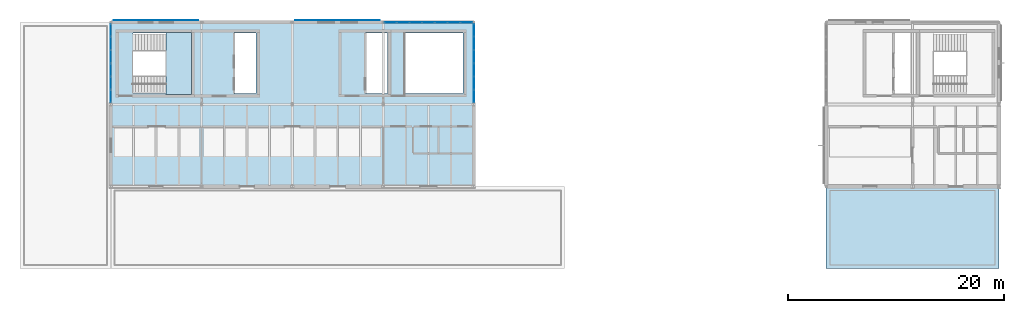
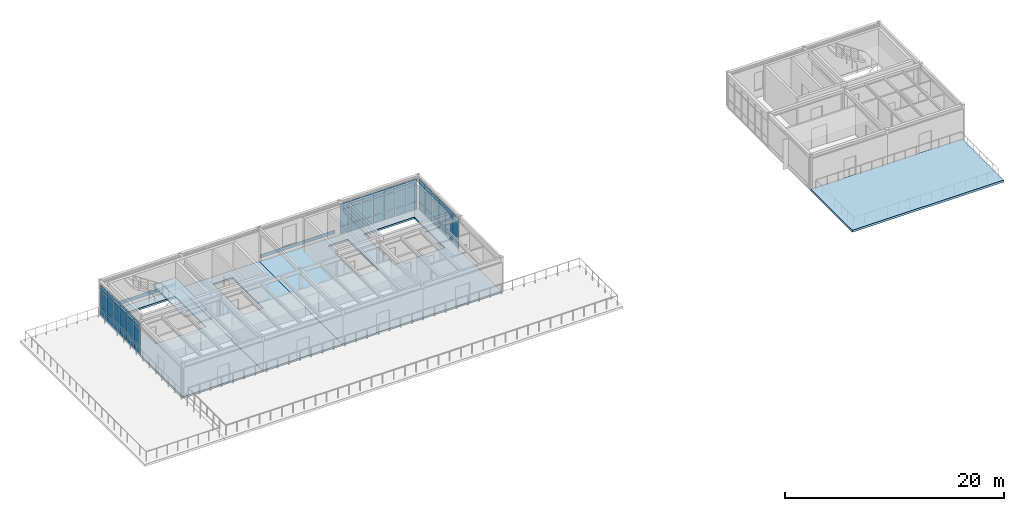
# One storey, part 17 of 26: 59 plates, 5 slabs, 4 elements without a shape of their own.
"""IFC4 building model written with IfcOpenShell, lengths in metres."""

import ifcopenshell
import ifcopenshell.guid

model = None  # the IFC model being written
_history = None  # IfcOwnerHistory: only IFC2X3 demands one
_inside = {}  # id of a spatial element -> (the spatial element, [elements in it])
_under = {}  # id of a project, library or spatial element -> (it, [spatial elements below it])
_declared = {}  # id of a project -> (the project, [libraries it declares])
_typed = {}  # id of a type object -> (the type object, [elements of that type])
_made_of = {}  # id of a material, layer set ... -> (it, [elements and type objects made of it])


def new_model(schema):
    """Start an empty IFC model of exactly this schema.

    Asked for "IFC4X3", IfcOpenShell would pick the latest addendum, in which some entities
    have other attributes; the version numbers below select the first issue.
    IFC2X3 requires an IfcOwnerHistory on every rooted entity: one is made here for all.
    """
    global model, _history
    if schema == "IFC4X3":
        model = ifcopenshell.file(schema_version=(4, 3, 0, 0))
    else:
        model = ifcopenshell.file(schema=schema)
    _inside.clear()
    _under.clear()
    _declared.clear()
    _typed.clear()
    _made_of.clear()
    _history = None
    if model.schema == "IFC2X3":
        org = make("IfcOrganization", Name="unknown")
        user = make(
            "IfcPersonAndOrganization",
            ThePerson=make("IfcPerson", FamilyName="unknown"),
            TheOrganization=org,
        )
        app = make(
            "IfcApplication",
            ApplicationDeveloper=org,
            Version="unknown",
            ApplicationFullName="unknown",
            ApplicationIdentifier="unknown",
        )
        _history = make(
            "IfcOwnerHistory",
            OwningUser=user,
            OwningApplication=app,
            ChangeAction="ADDED",
            CreationDate=0,
        )
    return model


def make(cls, **values):
    """One entity of the class cls with the attributes given. An attribute that is None is left unset."""
    return model.create_entity(
        cls, **{name: value for name, value in values.items() if value is not None}
    )


def rooted(cls, **values):
    """An entity with a GlobalId (a new one), such as an element, a storey or a relation."""
    return make(cls, GlobalId=ifcopenshell.guid.new(), OwnerHistory=_history, **values)


def si_unit(unit_type, name, prefix=None):
    """IfcSIUnit, for example si_unit("LENGTHUNIT", "METRE", prefix="MILLI")."""
    return make("IfcSIUnit", UnitType=unit_type, Prefix=prefix, Name=name)


def assignment(units):
    """IfcUnitAssignment: the units of a project."""
    return None if units is None else make("IfcUnitAssignment", Units=units)


def point(xyz):
    """IfcCartesianPoint."""
    return None if xyz is None else make("IfcCartesianPoint", Coordinates=xyz)


def direction(xyz):
    """IfcDirection."""
    return None if xyz is None else make("IfcDirection", DirectionRatios=xyz)


def frame(location, z_axis=None, x_axis=None):
    """IfcAxis2Placement3D, a coordinate frame: its origin and axes. An axis left out is left unset."""
    return make(
        "IfcAxis2Placement3D",
        Location=point(location),
        Axis=direction(z_axis),
        RefDirection=direction(x_axis),
    )


def frame_2d(location, x_axis=None):
    """IfcAxis2Placement2D, a coordinate frame in the plane: its origin and x axis."""
    return make(
        "IfcAxis2Placement2D", Location=point(location), RefDirection=direction(x_axis)
    )


def origin():
    """The frame at (0, 0, 0) with its axes left unset."""
    return frame((0.0, 0.0, 0.0))


def origin_2d():
    """The frame at (0, 0) in the plane with its x axis left unset."""
    return frame_2d((0.0, 0.0))


def place(relative_to, where):
    """IfcLocalPlacement: puts the frame where relative to a parent placement (None: the world)."""
    return make(
        "IfcLocalPlacement", PlacementRelTo=relative_to, RelativePlacement=where
    )


def context(
    kind, dimensions, precision=None, world=None, true_north=None, identifier=None
):
    """IfcGeometricRepresentationContext, for example the 3D "Model" context."""
    return make(
        "IfcGeometricRepresentationContext",
        ContextIdentifier=identifier,
        ContextType=kind,
        CoordinateSpaceDimension=dimensions,
        Precision=precision,
        WorldCoordinateSystem=world,
        TrueNorth=true_north,
    )


def subcontext(parent, identifier, kind, view, scale=None):
    """IfcGeometricRepresentationSubContext, for example "Body" below "Model"."""
    return make(
        "IfcGeometricRepresentationSubContext",
        ContextIdentifier=identifier,
        ContextType=kind,
        ParentContext=parent,
        TargetScale=scale,
        TargetView=view,
    )


def project(units=None, contexts=None):
    """IfcProject with its units and contexts."""
    return rooted(
        "IfcProject",
        Name="project",
        RepresentationContexts=contexts,
        UnitsInContext=assignment(units),
    )


def spatial(cls, under=None, at=None, **own):
    """A site, building, storey or space (cls), placed at a placement, below another one or the project."""
    s = rooted(cls, ObjectPlacement=at, **own)
    if under is not None:
        _under.setdefault(under.id(), (under, []))[1].append(s)
    return s


def polyline(points):
    """IfcPolyline through the points."""
    return make("IfcPolyline", Points=[point(p) for p in points])


def profile(cls, at=None, kind="AREA", **sizes):
    """A parametric profile (cls). Its sizes go by their IFC names, for example OverallWidth=200.0."""
    return make(cls, ProfileType=kind, Position=at, **sizes)


def rectangle(**sizes):
    """IfcRectangleProfileDef."""
    return profile("IfcRectangleProfileDef", **sizes)


def outline(outer, holes=None, kind="AREA"):
    """IfcArbitraryClosedProfileDef: a profile drawn as a closed curve; with holes, ...WithVoids."""
    if holes is None:
        return make("IfcArbitraryClosedProfileDef", ProfileType=kind, OuterCurve=outer)
    return make(
        "IfcArbitraryProfileDefWithVoids",
        ProfileType=kind,
        OuterCurve=outer,
        InnerCurves=holes,
    )


def extrude(swept, where, along, depth):
    """IfcExtrudedAreaSolid: the profile swept, set in the frame where, extruded along a direction by depth."""
    return make(
        "IfcExtrudedAreaSolid",
        SweptArea=swept,
        Position=where,
        ExtrudedDirection=direction(along),
        Depth=depth,
    )


def shape(context_of_items, identifier, shape_type, items):
    """IfcShapeRepresentation: the items that make up one representation, for example the "Body"."""
    return make(
        "IfcShapeRepresentation",
        ContextOfItems=context_of_items,
        RepresentationIdentifier=identifier,
        RepresentationType=shape_type,
        Items=items,
    )


def material(Name=None, Category=None):
    """IfcMaterial."""
    return make("IfcMaterial", Name=Name, Category=Category)


def layer(
    of_material, thickness, ventilated=None, Name=None, Category=None, Priority=None
):
    """IfcMaterialLayer: one layer of a wall or slab, of a material (None: an air gap)."""
    return make(
        "IfcMaterialLayer",
        Material=of_material,
        LayerThickness=thickness,
        IsVentilated=ventilated,
        Name=Name,
        Category=Category,
        Priority=Priority,
    )


def layer_set(layers, Name=None):
    """IfcMaterialLayerSet."""
    return make("IfcMaterialLayerSet", MaterialLayers=layers, LayerSetName=Name)


def made_of(thing, what):
    """Note that an element or type object is made of a material, layer set ...; save() writes the relation."""
    if what is not None:
        _made_of.setdefault(what.id(), (what, []))[1].append(thing)
    return thing


def type_object(cls, material=None, **own):
    """A type object (cls), such as IfcWallType, which elements share."""
    return made_of(rooted(cls, **own), material)


def element(
    cls,
    number,
    at=None,
    inside=None,
    cuts=None,
    type_object=None,
    material=None,
    context=None,
    identifier="Body",
    shape_type=None,
    held_by="IfcProductDefinitionShape",
    body=None,
    shapes=None,
    **own,
):
    """One element of the class cls, such as IfcWall. Its Tag is "e" and its number.

    at: its placement. inside: the storey or other place that contains it. cuts: it is an
    opening in that element (IfcRelVoidsElement). A single representation is given by context,
    identifier, shape_type and body (its items); several are given by shapes. held_by: the class
    of the entity that holds the representations. save() writes the other relations.
    """
    e = rooted(cls, Tag="e%d" % number, ObjectPlacement=at, **own)
    if body is not None:
        shapes = [shape(context, identifier, shape_type, body)]
    if shapes is not None:
        e.Representation = make(held_by, Representations=shapes)
    if inside is not None:
        _inside.setdefault(inside.id(), (inside, []))[1].append(e)
    if cuts is not None:
        rooted(
            "IfcRelVoidsElement", RelatingBuildingElement=cuts, RelatedOpeningElement=e
        )
    if type_object is not None:
        _typed.setdefault(type_object.id(), (type_object, []))[1].append(e)
    return made_of(e, material)


def aggregate(whole, parts):
    """IfcRelAggregates: a whole, such as a stair, and the parts it consists of."""
    return rooted("IfcRelAggregates", RelatingObject=whole, RelatedObjects=parts)


def save(model, path):
    """Write the relations noted so far, then the file.

    IfcRelAggregates (storeys below a building ...), IfcRelContainedInSpatialStructure (elements
    in a storey), IfcRelDefinesByType, IfcRelAssociatesMaterial and IfcRelDeclares: one each for
    every whole, place, type object, material and project.
    """
    for whole, parts in _under.values():
        aggregate(whole, parts)
    for where, things in _inside.values():
        rooted(
            "IfcRelContainedInSpatialStructure",
            RelatedElements=things,
            RelatingStructure=where,
        )
    for kind, things in _typed.values():
        rooted("IfcRelDefinesByType", RelatedObjects=things, RelatingType=kind)
    for what, things in _made_of.values():
        rooted("IfcRelAssociatesMaterial", RelatedObjects=things, RelatingMaterial=what)
    for by, libraries in _declared.values():
        rooted("IfcRelDeclares", RelatingContext=by, RelatedDefinitions=libraries)
    model.write(path)


model = new_model("IFC4")

# Units and contexts
model_context = context("Model", 3, precision=1e-05, world=origin(), true_north=direction((0.0, 1.0)))
body_context = subcontext(model_context, "Body", "Model", "MODEL_VIEW")
ifc_project = project(units=[si_unit("LENGTHUNIT", "METRE"), si_unit("AREAUNIT", "SQUARE_METRE"), si_unit("VOLUMEUNIT", "CUBIC_METRE"), si_unit("PLANEANGLEUNIT", "RADIAN"), si_unit("MASSUNIT", "GRAM", prefix="KILO")], contexts=[model_context])

# Site, building, storey
site_placement = place(None, origin())
site = spatial("IfcSite", under=ifc_project, at=site_placement, CompositionType="ELEMENT")
building_placement = place(site_placement, origin())
building = spatial("IfcBuilding", under=site, at=building_placement, Name="Montecoro Central Library", CompositionType="ELEMENT")
storey_placement = place(building_placement, frame((0.0, 0.0, 21.419921875)))
storey = spatial("IfcBuildingStorey", under=building, at=storey_placement, Name="L05", CompositionType="ELEMENT", Elevation=21.419921875)

# Curtain wall, plates
ifc_material_1 = material(Name="Bronze-anodised aluminium and low-E glazing", Category="aluminium")
ifc_layer_1 = layer(ifc_material_1, 0.159912109375)
ifc_layer_set_1 = layer_set([ifc_layer_1], Name="Bronze-anodised aluminium and low-E glazing")
curtain_wall_type_1 = type_object("IfcCurtainWallType", Name="CWT-024", PredefinedType="NOTDEFINED", material=ifc_layer_set_1)
curtain_wall_1_placement = place(storey_placement, origin())
curtain_wall_1 = element("IfcCurtainWall", 1, at=curtain_wall_1_placement, inside=storey, type_object=curtain_wall_type_1, Name="V2-L05-CW-E1", PredefinedType="NOTDEFINED")
ifc_material_2 = material(Name="Laminated low-E double glazing", Category="glass")
ifc_layer_2 = layer(ifc_material_2, 0.033935546875)
ifc_layer_set_2 = layer_set([ifc_layer_2], Name="Laminated low-E double glazing")
plate_type_1 = type_object("IfcPlateType", Name="CWP-GLZ-03", PredefinedType="CURTAIN_PANEL", material=ifc_layer_set_2)
plate_1_placement = place(storey_placement, frame((108.39990234375, 112.1669921875, 0.06005859375), z_axis=(0.0, 0.0, 1.0), x_axis=(0.0, 1.0, 0.0)))
plate_1 = element("IfcPlate", 2, at=plate_1_placement, type_object=plate_type_1, Name="CW-024 panel 1.1", PredefinedType="CURTAIN_PANEL", context=body_context, shape_type="SweptSolid", body=[
    extrude(rectangle(XDim=1.13818359375, YDim=0.033935546875, at=origin_2d()), origin(), (0.0, 0.0, 1.0), 0.81005859375),
])
plate_2_placement = place(storey_placement, frame((108.39990234375, 112.1669921875, 0.93017578125), z_axis=(0.0, 0.0, 1.0), x_axis=(0.0, 1.0, 0.0)))
plate_2 = element("IfcPlate", 3, at=plate_2_placement, type_object=plate_type_1, Name="CW-024 panel 1.2", PredefinedType="CURTAIN_PANEL", context=body_context, shape_type="SweptSolid", body=[
    extrude(rectangle(XDim=1.13818359375, YDim=0.033935546875, at=origin_2d()), origin(), (0.0, 0.0, 1.0), 1.820068359375),
])
plate_3_placement = place(storey_placement, frame((108.39990234375, 112.1669921875, 2.81005859375), z_axis=(0.0, 0.0, 1.0), x_axis=(0.0, 1.0, 0.0)))
plate_3 = element("IfcPlate", 4, at=plate_3_placement, type_object=plate_type_1, Name="CW-024 panel 1.3", PredefinedType="CURTAIN_PANEL", context=body_context, shape_type="SweptSolid", body=[
    extrude(rectangle(XDim=1.13818359375, YDim=0.033935546875, at=origin_2d()), origin(), (0.0, 0.0, 1.0), 0.610107421875),
])
plate_4_placement = place(storey_placement, frame((108.39990234375, 113.38037109375, 0.06005859375), z_axis=(0.0, 0.0, 1.0), x_axis=(0.0, 1.0, 0.0)))
plate_4 = element("IfcPlate", 5, at=plate_4_placement, type_object=plate_type_1, Name="CW-024 panel 2.1", PredefinedType="CURTAIN_PANEL", context=body_context, shape_type="SweptSolid", body=[
    extrude(rectangle(XDim=1.168212890625, YDim=0.033935546875, at=origin_2d()), origin(), (0.0, 0.0, 1.0), 0.81005859375),
])
plate_5_placement = place(storey_placement, frame((108.39990234375, 113.38037109375, 0.93017578125), z_axis=(0.0, 0.0, 1.0), x_axis=(0.0, 1.0, 0.0)))
plate_5 = element("IfcPlate", 6, at=plate_5_placement, type_object=plate_type_1, Name="CW-024 panel 2.2", PredefinedType="CURTAIN_PANEL", context=body_context, shape_type="SweptSolid", body=[
    extrude(rectangle(XDim=1.168212890625, YDim=0.033935546875, at=origin_2d()), origin(), (0.0, 0.0, 1.0), 1.820068359375),
])
plate_6_placement = place(storey_placement, frame((108.39990234375, 113.38037109375, 2.81005859375), z_axis=(0.0, 0.0, 1.0), x_axis=(0.0, 1.0, 0.0)))
plate_6 = element("IfcPlate", 7, at=plate_6_placement, type_object=plate_type_1, Name="CW-024 panel 2.3", PredefinedType="CURTAIN_PANEL", context=body_context, shape_type="SweptSolid", body=[
    extrude(rectangle(XDim=1.168212890625, YDim=0.033935546875, at=origin_2d()), origin(), (0.0, 0.0, 1.0), 0.610107421875),
])
plate_7_placement = place(storey_placement, frame((108.39990234375, 114.6083984375, 0.06005859375), z_axis=(0.0, 0.0, 1.0), x_axis=(0.0, 1.0, 0.0)))
plate_7 = element("IfcPlate", 8, at=plate_7_placement, type_object=plate_type_1, Name="CW-024 panel 3.1", PredefinedType="CURTAIN_PANEL", context=body_context, shape_type="SweptSolid", body=[
    extrude(rectangle(XDim=1.168212890625, YDim=0.033935546875, at=origin_2d()), origin(), (0.0, 0.0, 1.0), 0.81005859375),
])
plate_8_placement = place(storey_placement, frame((108.39990234375, 114.6083984375, 0.93017578125), z_axis=(0.0, 0.0, 1.0), x_axis=(0.0, 1.0, 0.0)))
plate_8 = element("IfcPlate", 9, at=plate_8_placement, type_object=plate_type_1, Name="CW-024 panel 3.2", PredefinedType="CURTAIN_PANEL", context=body_context, shape_type="SweptSolid", body=[
    extrude(rectangle(XDim=1.168212890625, YDim=0.033935546875, at=origin_2d()), origin(), (0.0, 0.0, 1.0), 1.820068359375),
])
plate_9_placement = place(storey_placement, frame((108.39990234375, 114.6083984375, 2.81005859375), z_axis=(0.0, 0.0, 1.0), x_axis=(0.0, 1.0, 0.0)))
plate_9 = element("IfcPlate", 10, at=plate_9_placement, type_object=plate_type_1, Name="CW-024 panel 3.3", PredefinedType="CURTAIN_PANEL", context=body_context, shape_type="SweptSolid", body=[
    extrude(rectangle(XDim=1.168212890625, YDim=0.033935546875, at=origin_2d()), origin(), (0.0, 0.0, 1.0), 0.610107421875),
])
plate_10_placement = place(storey_placement, frame((108.39990234375, 115.836669921875, 0.06005859375), z_axis=(0.0, 0.0, 1.0), x_axis=(0.0, 1.0, 0.0)))
plate_10 = element("IfcPlate", 11, at=plate_10_placement, type_object=plate_type_1, Name="CW-024 panel 4.1", PredefinedType="CURTAIN_PANEL", context=body_context, shape_type="SweptSolid", body=[
    extrude(rectangle(XDim=1.168212890625, YDim=0.033935546875, at=origin_2d()), origin(), (0.0, 0.0, 1.0), 0.81005859375),
])
plate_11_placement = place(storey_placement, frame((108.39990234375, 115.836669921875, 0.93017578125), z_axis=(0.0, 0.0, 1.0), x_axis=(0.0, 1.0, 0.0)))
plate_11 = element("IfcPlate", 12, at=plate_11_placement, type_object=plate_type_1, Name="CW-024 panel 4.2", PredefinedType="CURTAIN_PANEL", context=body_context, shape_type="SweptSolid", body=[
    extrude(rectangle(XDim=1.168212890625, YDim=0.033935546875, at=origin_2d()), origin(), (0.0, 0.0, 1.0), 1.820068359375),
])
plate_12_placement = place(storey_placement, frame((108.39990234375, 115.836669921875, 2.81005859375), z_axis=(0.0, 0.0, 1.0), x_axis=(0.0, 1.0, 0.0)))
plate_12 = element("IfcPlate", 13, at=plate_12_placement, type_object=plate_type_1, Name="CW-024 panel 4.3", PredefinedType="CURTAIN_PANEL", context=body_context, shape_type="SweptSolid", body=[
    extrude(rectangle(XDim=1.168212890625, YDim=0.033935546875, at=origin_2d()), origin(), (0.0, 0.0, 1.0), 0.610107421875),
])
plate_13_placement = place(storey_placement, frame((108.39990234375, 117.064697265625, 0.06005859375), z_axis=(0.0, 0.0, 1.0), x_axis=(0.0, 1.0, 0.0)))
plate_13 = element("IfcPlate", 14, at=plate_13_placement, type_object=plate_type_1, Name="CW-024 panel 5.1", PredefinedType="CURTAIN_PANEL", context=body_context, shape_type="SweptSolid", body=[
    extrude(rectangle(XDim=1.168212890625, YDim=0.033935546875, at=origin_2d()), origin(), (0.0, 0.0, 1.0), 0.81005859375),
])
plate_14_placement = place(storey_placement, frame((108.39990234375, 117.064697265625, 0.93017578125), z_axis=(0.0, 0.0, 1.0), x_axis=(0.0, 1.0, 0.0)))
plate_14 = element("IfcPlate", 15, at=plate_14_placement, type_object=plate_type_1, Name="CW-024 panel 5.2", PredefinedType="CURTAIN_PANEL", context=body_context, shape_type="SweptSolid", body=[
    extrude(rectangle(XDim=1.168212890625, YDim=0.033935546875, at=origin_2d()), origin(), (0.0, 0.0, 1.0), 1.820068359375),
])
plate_15_placement = place(storey_placement, frame((108.39990234375, 117.064697265625, 2.81005859375), z_axis=(0.0, 0.0, 1.0), x_axis=(0.0, 1.0, 0.0)))
plate_15 = element("IfcPlate", 16, at=plate_15_placement, type_object=plate_type_1, Name="CW-024 panel 5.3", PredefinedType="CURTAIN_PANEL", context=body_context, shape_type="SweptSolid", body=[
    extrude(rectangle(XDim=1.168212890625, YDim=0.033935546875, at=origin_2d()), origin(), (0.0, 0.0, 1.0), 0.610107421875),
])
plate_16_placement = place(storey_placement, frame((108.39990234375, 118.27783203125, 0.06005859375), z_axis=(0.0, 0.0, 1.0), x_axis=(0.0, 1.0, 0.0)))
plate_16 = element("IfcPlate", 17, at=plate_16_placement, type_object=plate_type_1, Name="CW-024 panel 6.1", PredefinedType="CURTAIN_PANEL", context=body_context, shape_type="SweptSolid", body=[
    extrude(rectangle(XDim=1.13818359375, YDim=0.033935546875, at=origin_2d()), origin(), (0.0, 0.0, 1.0), 0.81005859375),
])
plate_17_placement = place(storey_placement, frame((108.39990234375, 118.27783203125, 0.93017578125), z_axis=(0.0, 0.0, 1.0), x_axis=(0.0, 1.0, 0.0)))
plate_17 = element("IfcPlate", 18, at=plate_17_placement, type_object=plate_type_1, Name="CW-024 panel 6.2", PredefinedType="CURTAIN_PANEL", context=body_context, shape_type="SweptSolid", body=[
    extrude(rectangle(XDim=1.13818359375, YDim=0.033935546875, at=origin_2d()), origin(), (0.0, 0.0, 1.0), 1.820068359375),
])
plate_18_placement = place(storey_placement, frame((108.39990234375, 118.27783203125, 2.81005859375), z_axis=(0.0, 0.0, 1.0), x_axis=(0.0, 1.0, 0.0)))
plate_18 = element("IfcPlate", 19, at=plate_18_placement, type_object=plate_type_1, Name="CW-024 panel 6.3", PredefinedType="CURTAIN_PANEL", context=body_context, shape_type="SweptSolid", body=[
    extrude(rectangle(XDim=1.13818359375, YDim=0.033935546875, at=origin_2d()), origin(), (0.0, 0.0, 1.0), 0.610107421875),
])
aggregate(curtain_wall_1, [plate_1, plate_2, plate_3, plate_4, plate_5, plate_6, plate_7, plate_8, plate_9, plate_10, plate_11, plate_12, plate_13, plate_14, plate_15, plate_16, plate_17, plate_18])

ifc_layer_3 = layer(ifc_material_1, 0.159912109375)
ifc_layer_set_3 = layer_set([ifc_layer_3], Name="Bronze-anodised aluminium and low-E glazing")
curtain_wall_type_2 = type_object("IfcCurtainWallType", Name="CWT-026", PredefinedType="NOTDEFINED", material=ifc_layer_set_3)
curtain_wall_2_placement = place(storey_placement, origin())
curtain_wall_2 = element("IfcCurtainWall", 20, at=curtain_wall_2_placement, inside=storey, type_object=curtain_wall_type_2, Name="V2-L05-CW-W1", PredefinedType="NOTDEFINED")
plate_19_placement = place(storey_placement, frame((74.800048828125, 118.27783203125, 0.06005859375), z_axis=(0.0, 0.0, 1.0), x_axis=(0.0, -1.0, 0.0)))
plate_19 = element("IfcPlate", 21, at=plate_19_placement, type_object=plate_type_1, Name="CW-026 panel 1.1", PredefinedType="CURTAIN_PANEL", context=body_context, shape_type="SweptSolid", body=[
    extrude(rectangle(XDim=1.13818359375, YDim=0.033935546875, at=origin_2d()), origin(), (0.0, 0.0, 1.0), 0.81005859375),
])
plate_20_placement = place(storey_placement, frame((74.800048828125, 118.27783203125, 0.93017578125), z_axis=(0.0, 0.0, 1.0), x_axis=(0.0, -1.0, 0.0)))
plate_20 = element("IfcPlate", 22, at=plate_20_placement, type_object=plate_type_1, Name="CW-026 panel 1.2", PredefinedType="CURTAIN_PANEL", context=body_context, shape_type="SweptSolid", body=[
    extrude(rectangle(XDim=1.13818359375, YDim=0.033935546875, at=origin_2d()), origin(), (0.0, 0.0, 1.0), 1.820068359375),
])
plate_21_placement = place(storey_placement, frame((74.800048828125, 118.27783203125, 2.81005859375), z_axis=(0.0, 0.0, 1.0), x_axis=(0.0, -1.0, 0.0)))
plate_21 = element("IfcPlate", 23, at=plate_21_placement, type_object=plate_type_1, Name="CW-026 panel 1.3", PredefinedType="CURTAIN_PANEL", context=body_context, shape_type="SweptSolid", body=[
    extrude(rectangle(XDim=1.13818359375, YDim=0.033935546875, at=origin_2d()), origin(), (0.0, 0.0, 1.0), 0.610107421875),
])
plate_22_placement = place(storey_placement, frame((74.800048828125, 117.064697265625, 0.06005859375), z_axis=(0.0, 0.0, 1.0), x_axis=(0.0, -1.0, 0.0)))
plate_22 = element("IfcPlate", 24, at=plate_22_placement, type_object=plate_type_1, Name="CW-026 panel 2.1", PredefinedType="CURTAIN_PANEL", context=body_context, shape_type="SweptSolid", body=[
    extrude(rectangle(XDim=1.168212890625, YDim=0.033935546875, at=origin_2d()), origin(), (0.0, 0.0, 1.0), 0.81005859375),
])
plate_23_placement = place(storey_placement, frame((74.800048828125, 117.064697265625, 0.93017578125), z_axis=(0.0, 0.0, 1.0), x_axis=(0.0, -1.0, 0.0)))
plate_23 = element("IfcPlate", 25, at=plate_23_placement, type_object=plate_type_1, Name="CW-026 panel 2.2", PredefinedType="CURTAIN_PANEL", context=body_context, shape_type="SweptSolid", body=[
    extrude(rectangle(XDim=1.168212890625, YDim=0.033935546875, at=origin_2d()), origin(), (0.0, 0.0, 1.0), 1.820068359375),
])
plate_24_placement = place(storey_placement, frame((74.800048828125, 117.064697265625, 2.81005859375), z_axis=(0.0, 0.0, 1.0), x_axis=(0.0, -1.0, 0.0)))
plate_24 = element("IfcPlate", 26, at=plate_24_placement, type_object=plate_type_1, Name="CW-026 panel 2.3", PredefinedType="CURTAIN_PANEL", context=body_context, shape_type="SweptSolid", body=[
    extrude(rectangle(XDim=1.168212890625, YDim=0.033935546875, at=origin_2d()), origin(), (0.0, 0.0, 1.0), 0.610107421875),
])
plate_25_placement = place(storey_placement, frame((74.800048828125, 115.836669921875, 0.06005859375), z_axis=(0.0, 0.0, 1.0), x_axis=(0.0, -1.0, 0.0)))
plate_25 = element("IfcPlate", 27, at=plate_25_placement, type_object=plate_type_1, Name="CW-026 panel 3.1", PredefinedType="CURTAIN_PANEL", context=body_context, shape_type="SweptSolid", body=[
    extrude(rectangle(XDim=1.168212890625, YDim=0.033935546875, at=origin_2d()), origin(), (0.0, 0.0, 1.0), 0.81005859375),
])
plate_26_placement = place(storey_placement, frame((74.800048828125, 115.836669921875, 0.93017578125), z_axis=(0.0, 0.0, 1.0), x_axis=(0.0, -1.0, 0.0)))
plate_26 = element("IfcPlate", 28, at=plate_26_placement, type_object=plate_type_1, Name="CW-026 panel 3.2", PredefinedType="CURTAIN_PANEL", context=body_context, shape_type="SweptSolid", body=[
    extrude(rectangle(XDim=1.168212890625, YDim=0.033935546875, at=origin_2d()), origin(), (0.0, 0.0, 1.0), 1.820068359375),
])
plate_27_placement = place(storey_placement, frame((74.800048828125, 115.836669921875, 2.81005859375), z_axis=(0.0, 0.0, 1.0), x_axis=(0.0, -1.0, 0.0)))
plate_27 = element("IfcPlate", 29, at=plate_27_placement, type_object=plate_type_1, Name="CW-026 panel 3.3", PredefinedType="CURTAIN_PANEL", context=body_context, shape_type="SweptSolid", body=[
    extrude(rectangle(XDim=1.168212890625, YDim=0.033935546875, at=origin_2d()), origin(), (0.0, 0.0, 1.0), 0.610107421875),
])
plate_28_placement = place(storey_placement, frame((74.800048828125, 114.6083984375, 0.06005859375), z_axis=(0.0, 0.0, 1.0), x_axis=(0.0, -1.0, 0.0)))
plate_28 = element("IfcPlate", 30, at=plate_28_placement, type_object=plate_type_1, Name="CW-026 panel 4.1", PredefinedType="CURTAIN_PANEL", context=body_context, shape_type="SweptSolid", body=[
    extrude(rectangle(XDim=1.168212890625, YDim=0.033935546875, at=origin_2d()), origin(), (0.0, 0.0, 1.0), 0.81005859375),
])
plate_29_placement = place(storey_placement, frame((74.800048828125, 114.6083984375, 0.93017578125), z_axis=(0.0, 0.0, 1.0), x_axis=(0.0, -1.0, 0.0)))
plate_29 = element("IfcPlate", 31, at=plate_29_placement, type_object=plate_type_1, Name="CW-026 panel 4.2", PredefinedType="CURTAIN_PANEL", context=body_context, shape_type="SweptSolid", body=[
    extrude(rectangle(XDim=1.168212890625, YDim=0.033935546875, at=origin_2d()), origin(), (0.0, 0.0, 1.0), 1.820068359375),
])
plate_30_placement = place(storey_placement, frame((74.800048828125, 114.6083984375, 2.81005859375), z_axis=(0.0, 0.0, 1.0), x_axis=(0.0, -1.0, 0.0)))
plate_30 = element("IfcPlate", 32, at=plate_30_placement, type_object=plate_type_1, Name="CW-026 panel 4.3", PredefinedType="CURTAIN_PANEL", context=body_context, shape_type="SweptSolid", body=[
    extrude(rectangle(XDim=1.168212890625, YDim=0.033935546875, at=origin_2d()), origin(), (0.0, 0.0, 1.0), 0.610107421875),
])
plate_31_placement = place(storey_placement, frame((74.800048828125, 113.38037109375, 0.06005859375), z_axis=(0.0, 0.0, 1.0), x_axis=(0.0, -1.0, 0.0)))
plate_31 = element("IfcPlate", 33, at=plate_31_placement, type_object=plate_type_1, Name="CW-026 panel 5.1", PredefinedType="CURTAIN_PANEL", context=body_context, shape_type="SweptSolid", body=[
    extrude(rectangle(XDim=1.168212890625, YDim=0.033935546875, at=origin_2d()), origin(), (0.0, 0.0, 1.0), 0.81005859375),
])
plate_32_placement = place(storey_placement, frame((74.800048828125, 113.38037109375, 0.93017578125), z_axis=(0.0, 0.0, 1.0), x_axis=(0.0, -1.0, 0.0)))
plate_32 = element("IfcPlate", 34, at=plate_32_placement, type_object=plate_type_1, Name="CW-026 panel 5.2", PredefinedType="CURTAIN_PANEL", context=body_context, shape_type="SweptSolid", body=[
    extrude(rectangle(XDim=1.168212890625, YDim=0.033935546875, at=origin_2d()), origin(), (0.0, 0.0, 1.0), 1.820068359375),
])
plate_33_placement = place(storey_placement, frame((74.800048828125, 113.38037109375, 2.81005859375), z_axis=(0.0, 0.0, 1.0), x_axis=(0.0, -1.0, 0.0)))
plate_33 = element("IfcPlate", 35, at=plate_33_placement, type_object=plate_type_1, Name="CW-026 panel 5.3", PredefinedType="CURTAIN_PANEL", context=body_context, shape_type="SweptSolid", body=[
    extrude(rectangle(XDim=1.168212890625, YDim=0.033935546875, at=origin_2d()), origin(), (0.0, 0.0, 1.0), 0.610107421875),
])
plate_34_placement = place(storey_placement, frame((74.800048828125, 112.1669921875, 0.06005859375), z_axis=(0.0, 0.0, 1.0), x_axis=(0.0, -1.0, 0.0)))
plate_34 = element("IfcPlate", 36, at=plate_34_placement, type_object=plate_type_1, Name="CW-026 panel 6.1", PredefinedType="CURTAIN_PANEL", context=body_context, shape_type="SweptSolid", body=[
    extrude(rectangle(XDim=1.13818359375, YDim=0.033935546875, at=origin_2d()), origin(), (0.0, 0.0, 1.0), 0.81005859375),
])
plate_35_placement = place(storey_placement, frame((74.800048828125, 112.1669921875, 0.93017578125), z_axis=(0.0, 0.0, 1.0), x_axis=(0.0, -1.0, 0.0)))
plate_35 = element("IfcPlate", 37, at=plate_35_placement, type_object=plate_type_1, Name="CW-026 panel 6.2", PredefinedType="CURTAIN_PANEL", context=body_context, shape_type="SweptSolid", body=[
    extrude(rectangle(XDim=1.13818359375, YDim=0.033935546875, at=origin_2d()), origin(), (0.0, 0.0, 1.0), 1.820068359375),
])
plate_36_placement = place(storey_placement, frame((74.800048828125, 112.1669921875, 2.81005859375), z_axis=(0.0, 0.0, 1.0), x_axis=(0.0, -1.0, 0.0)))
plate_36 = element("IfcPlate", 38, at=plate_36_placement, type_object=plate_type_1, Name="CW-026 panel 6.3", PredefinedType="CURTAIN_PANEL", context=body_context, shape_type="SweptSolid", body=[
    extrude(rectangle(XDim=1.13818359375, YDim=0.033935546875, at=origin_2d()), origin(), (0.0, 0.0, 1.0), 0.610107421875),
])
aggregate(curtain_wall_2, [plate_19, plate_20, plate_21, plate_22, plate_23, plate_24, plate_25, plate_26, plate_27, plate_28, plate_29, plate_30, plate_31, plate_32, plate_33, plate_34, plate_35, plate_36])

ifc_layer_4 = layer(ifc_material_1, 0.159912109375)
ifc_layer_set_4 = layer_set([ifc_layer_4], Name="Bronze-anodised aluminium and low-E glazing")
curtain_wall_type_3 = type_object("IfcCurtainWallType", Name="CWT-025", PredefinedType="NOTDEFINED", material=ifc_layer_set_4)
curtain_wall_3_placement = place(storey_placement, origin())
curtain_wall_3 = element("IfcCurtainWall", 39, at=curtain_wall_3_placement, inside=storey, type_object=curtain_wall_type_3, Name="V2-L05-CW-N3", PredefinedType="NOTDEFINED")
ifc_layer_5 = layer(ifc_material_2, 0.0419921875)
ifc_layer_set_5 = layer_set([ifc_layer_5], Name="Laminated low-E double glazing")
plate_type_2 = type_object("IfcPlateType", Name="CWP-GLZ-05", PredefinedType="CURTAIN_PANEL", material=ifc_layer_set_5)
plate_37_placement = place(storey_placement, frame((107.705322265625, 119.0, 0.06005859375), z_axis=(0.0, 0.0, 1.0), x_axis=(-1.0, 0.0, 0.0)))
plate_37 = element("IfcPlate", 40, at=plate_37_placement, type_object=plate_type_2, Name="CW-025 panel 1.1", PredefinedType="CURTAIN_PANEL", context=body_context, shape_type="SweptSolid", body=[
    extrude(rectangle(XDim=1.08349609375, YDim=0.0419921875, at=origin_2d()), origin(), (0.0, 0.0, 1.0), 0.81005859375),
])
plate_38_placement = place(storey_placement, frame((107.705322265625, 119.0, 0.93017578125), z_axis=(0.0, 0.0, 1.0), x_axis=(-1.0, 0.0, 0.0)))
plate_38 = element("IfcPlate", 41, at=plate_38_placement, type_object=plate_type_2, Name="CW-025 panel 1.2", PredefinedType="CURTAIN_PANEL", context=body_context, shape_type="SweptSolid", body=[
    extrude(rectangle(XDim=1.08349609375, YDim=0.0419921875, at=origin_2d()), origin(), (0.0, 0.0, 1.0), 1.820068359375),
])
plate_39_placement = place(storey_placement, frame((107.705322265625, 119.0, 2.81005859375), z_axis=(0.0, 0.0, 1.0), x_axis=(-1.0, 0.0, 0.0)))
plate_39 = element("IfcPlate", 42, at=plate_39_placement, type_object=plate_type_2, Name="CW-025 panel 1.3", PredefinedType="CURTAIN_PANEL", context=body_context, shape_type="SweptSolid", body=[
    extrude(rectangle(XDim=1.08349609375, YDim=0.0419921875, at=origin_2d()), origin(), (0.0, 0.0, 1.0), 0.610107421875),
])
plate_40_placement = place(storey_placement, frame((106.546875, 119.0, 0.06005859375), z_axis=(0.0, 0.0, 1.0), x_axis=(-1.0, 0.0, 0.0)))
plate_40 = element("IfcPlate", 43, at=plate_40_placement, type_object=plate_type_2, Name="CW-025 panel 2.1", PredefinedType="CURTAIN_PANEL", context=body_context, shape_type="SweptSolid", body=[
    extrude(rectangle(XDim=1.113525390625, YDim=0.0419921875, at=origin_2d()), origin(), (0.0, 0.0, 1.0), 0.81005859375),
])
plate_41_placement = place(storey_placement, frame((106.546875, 119.0, 0.93017578125), z_axis=(0.0, 0.0, 1.0), x_axis=(-1.0, 0.0, 0.0)))
plate_41 = element("IfcPlate", 44, at=plate_41_placement, type_object=plate_type_2, Name="CW-025 panel 2.2", PredefinedType="CURTAIN_PANEL", context=body_context, shape_type="SweptSolid", body=[
    extrude(rectangle(XDim=1.113525390625, YDim=0.0419921875, at=origin_2d()), origin(), (0.0, 0.0, 1.0), 1.820068359375),
])
plate_42_placement = place(storey_placement, frame((106.546875, 119.0, 2.81005859375), z_axis=(0.0, 0.0, 1.0), x_axis=(-1.0, 0.0, 0.0)))
plate_42 = element("IfcPlate", 45, at=plate_42_placement, type_object=plate_type_2, Name="CW-025 panel 2.3", PredefinedType="CURTAIN_PANEL", context=body_context, shape_type="SweptSolid", body=[
    extrude(rectangle(XDim=1.113525390625, YDim=0.0419921875, at=origin_2d()), origin(), (0.0, 0.0, 1.0), 0.610107421875),
])
plate_43_placement = place(storey_placement, frame((105.37353515625, 119.0, 0.06005859375), z_axis=(0.0, 0.0, 1.0), x_axis=(-1.0, 0.0, 0.0)))
plate_43 = element("IfcPlate", 46, at=plate_43_placement, type_object=plate_type_2, Name="CW-025 panel 3.1", PredefinedType="CURTAIN_PANEL", context=body_context, shape_type="SweptSolid", body=[
    extrude(rectangle(XDim=1.113525390625, YDim=0.0419921875, at=origin_2d()), origin(), (0.0, 0.0, 1.0), 0.81005859375),
])
plate_44_placement = place(storey_placement, frame((105.37353515625, 119.0, 0.93017578125), z_axis=(0.0, 0.0, 1.0), x_axis=(-1.0, 0.0, 0.0)))
plate_44 = element("IfcPlate", 47, at=plate_44_placement, type_object=plate_type_2, Name="CW-025 panel 3.2", PredefinedType="CURTAIN_PANEL", context=body_context, shape_type="SweptSolid", body=[
    extrude(rectangle(XDim=1.113525390625, YDim=0.0419921875, at=origin_2d()), origin(), (0.0, 0.0, 1.0), 1.820068359375),
])
plate_45_placement = place(storey_placement, frame((105.37353515625, 119.0, 2.81005859375), z_axis=(0.0, 0.0, 1.0), x_axis=(-1.0, 0.0, 0.0)))
plate_45 = element("IfcPlate", 48, at=plate_45_placement, type_object=plate_type_2, Name="CW-025 panel 3.3", PredefinedType="CURTAIN_PANEL", context=body_context, shape_type="SweptSolid", body=[
    extrude(rectangle(XDim=1.113525390625, YDim=0.0419921875, at=origin_2d()), origin(), (0.0, 0.0, 1.0), 0.610107421875),
])
plate_46_placement = place(storey_placement, frame((104.199951171875, 119.0, 0.06005859375), z_axis=(0.0, 0.0, 1.0), x_axis=(-1.0, 0.0, 0.0)))
plate_46 = element("IfcPlate", 49, at=plate_46_placement, type_object=plate_type_2, Name="CW-025 panel 4.1", PredefinedType="CURTAIN_PANEL", context=body_context, shape_type="SweptSolid", body=[
    extrude(rectangle(XDim=1.113525390625, YDim=0.0419921875, at=origin_2d()), origin(), (0.0, 0.0, 1.0), 0.81005859375),
])
plate_47_placement = place(storey_placement, frame((104.199951171875, 119.0, 0.93017578125), z_axis=(0.0, 0.0, 1.0), x_axis=(-1.0, 0.0, 0.0)))
plate_47 = element("IfcPlate", 50, at=plate_47_placement, type_object=plate_type_2, Name="CW-025 panel 4.2", PredefinedType="CURTAIN_PANEL", context=body_context, shape_type="SweptSolid", body=[
    extrude(rectangle(XDim=1.113525390625, YDim=0.0419921875, at=origin_2d()), origin(), (0.0, 0.0, 1.0), 1.820068359375),
])
plate_48_placement = place(storey_placement, frame((104.199951171875, 119.0, 2.81005859375), z_axis=(0.0, 0.0, 1.0), x_axis=(-1.0, 0.0, 0.0)))
plate_48 = element("IfcPlate", 51, at=plate_48_placement, type_object=plate_type_2, Name="CW-025 panel 4.3", PredefinedType="CURTAIN_PANEL", context=body_context, shape_type="SweptSolid", body=[
    extrude(rectangle(XDim=1.113525390625, YDim=0.0419921875, at=origin_2d()), origin(), (0.0, 0.0, 1.0), 0.610107421875),
])
plate_49_placement = place(storey_placement, frame((103.026611328125, 119.0, 0.06005859375), z_axis=(0.0, 0.0, 1.0), x_axis=(-1.0, 0.0, 0.0)))
plate_49 = element("IfcPlate", 52, at=plate_49_placement, type_object=plate_type_2, Name="CW-025 panel 5.1", PredefinedType="CURTAIN_PANEL", context=body_context, shape_type="SweptSolid", body=[
    extrude(rectangle(XDim=1.113525390625, YDim=0.0419921875, at=origin_2d()), origin(), (0.0, 0.0, 1.0), 0.81005859375),
])
plate_50_placement = place(storey_placement, frame((103.026611328125, 119.0, 0.93017578125), z_axis=(0.0, 0.0, 1.0), x_axis=(-1.0, 0.0, 0.0)))
plate_50 = element("IfcPlate", 53, at=plate_50_placement, type_object=plate_type_2, Name="CW-025 panel 5.2", PredefinedType="CURTAIN_PANEL", context=body_context, shape_type="SweptSolid", body=[
    extrude(rectangle(XDim=1.113525390625, YDim=0.0419921875, at=origin_2d()), origin(), (0.0, 0.0, 1.0), 1.820068359375),
])
plate_51_placement = place(storey_placement, frame((103.026611328125, 119.0, 2.81005859375), z_axis=(0.0, 0.0, 1.0), x_axis=(-1.0, 0.0, 0.0)))
plate_51 = element("IfcPlate", 54, at=plate_51_placement, type_object=plate_type_2, Name="CW-025 panel 5.3", PredefinedType="CURTAIN_PANEL", context=body_context, shape_type="SweptSolid", body=[
    extrude(rectangle(XDim=1.113525390625, YDim=0.0419921875, at=origin_2d()), origin(), (0.0, 0.0, 1.0), 0.610107421875),
])
plate_52_placement = place(storey_placement, frame((101.85302734375, 119.0, 0.06005859375), z_axis=(0.0, 0.0, 1.0), x_axis=(-1.0, 0.0, 0.0)))
plate_52 = element("IfcPlate", 55, at=plate_52_placement, type_object=plate_type_2, Name="CW-025 panel 6.1", PredefinedType="CURTAIN_PANEL", context=body_context, shape_type="SweptSolid", body=[
    extrude(rectangle(XDim=1.113525390625, YDim=0.0419921875, at=origin_2d()), origin(), (0.0, 0.0, 1.0), 0.81005859375),
])
plate_53_placement = place(storey_placement, frame((101.85302734375, 119.0, 0.93017578125), z_axis=(0.0, 0.0, 1.0), x_axis=(-1.0, 0.0, 0.0)))
plate_53 = element("IfcPlate", 56, at=plate_53_placement, type_object=plate_type_2, Name="CW-025 panel 6.2", PredefinedType="CURTAIN_PANEL", context=body_context, shape_type="SweptSolid", body=[
    extrude(rectangle(XDim=1.113525390625, YDim=0.0419921875, at=origin_2d()), origin(), (0.0, 0.0, 1.0), 1.820068359375),
])
plate_54_placement = place(storey_placement, frame((101.85302734375, 119.0, 2.81005859375), z_axis=(0.0, 0.0, 1.0), x_axis=(-1.0, 0.0, 0.0)))
plate_54 = element("IfcPlate", 57, at=plate_54_placement, type_object=plate_type_2, Name="CW-025 panel 6.3", PredefinedType="CURTAIN_PANEL", context=body_context, shape_type="SweptSolid", body=[
    extrude(rectangle(XDim=1.113525390625, YDim=0.0419921875, at=origin_2d()), origin(), (0.0, 0.0, 1.0), 0.610107421875),
])
plate_55_placement = place(storey_placement, frame((100.69482421875, 119.0, 0.06005859375), z_axis=(0.0, 0.0, 1.0), x_axis=(-1.0, 0.0, 0.0)))
plate_55 = element("IfcPlate", 58, at=plate_55_placement, type_object=plate_type_2, Name="CW-025 panel 7.1", PredefinedType="CURTAIN_PANEL", context=body_context, shape_type="SweptSolid", body=[
    extrude(rectangle(XDim=1.08349609375, YDim=0.0419921875, at=origin_2d()), origin(), (0.0, 0.0, 1.0), 0.81005859375),
])
plate_56_placement = place(storey_placement, frame((100.69482421875, 119.0, 0.93017578125), z_axis=(0.0, 0.0, 1.0), x_axis=(-1.0, 0.0, 0.0)))
plate_56 = element("IfcPlate", 59, at=plate_56_placement, type_object=plate_type_2, Name="CW-025 panel 7.2", PredefinedType="CURTAIN_PANEL", context=body_context, shape_type="SweptSolid", body=[
    extrude(rectangle(XDim=1.08349609375, YDim=0.0419921875, at=origin_2d()), origin(), (0.0, 0.0, 1.0), 1.820068359375),
])
plate_57_placement = place(storey_placement, frame((100.69482421875, 119.0, 2.81005859375), z_axis=(0.0, 0.0, 1.0), x_axis=(-1.0, 0.0, 0.0)))
plate_57 = element("IfcPlate", 60, at=plate_57_placement, type_object=plate_type_2, Name="CW-025 panel 7.3", PredefinedType="CURTAIN_PANEL", context=body_context, shape_type="SweptSolid", body=[
    extrude(rectangle(XDim=1.08349609375, YDim=0.0419921875, at=origin_2d()), origin(), (0.0, 0.0, 1.0), 0.610107421875),
])
aggregate(curtain_wall_3, [plate_37, plate_38, plate_39, plate_40, plate_41, plate_42, plate_43, plate_44, plate_45, plate_46, plate_47, plate_48, plate_49, plate_50, plate_51, plate_52, plate_53, plate_54, plate_55, plate_56, plate_57])

# Plates
ifc_material_3 = material(Name="Architectural bronze spandrel plate", Category="aluminium")
ifc_layer_6 = layer(ifc_material_3, 0.02197265625)
ifc_layer_set_6 = layer_set([ifc_layer_6], Name="Architectural bronze spandrel plate")
plate_type_3 = type_object("IfcPlateType", Name="PLT-SPN-01", PredefinedType="SHEET", material=ifc_layer_set_6)
plate_58_placement = place(storey_placement, frame((95.800048828125, 119.18359375, 0.16015625), z_axis=(0.0, 0.0, 1.0), x_axis=(-1.0, 0.0, 0.0)))
element("IfcPlate", 61, at=plate_58_placement, inside=storey, type_object=plate_type_3, Name="V2-L05-SPN-N2", PredefinedType="SHEET", context=body_context, shape_type="SweptSolid", body=[
    extrude(rectangle(XDim=7.81396484375, YDim=0.02197265625, at=origin_2d()), origin(), (0.0, 0.0, 1.0), 0.39990234375),
])
ifc_layer_7 = layer(ifc_material_3, 0.035888671875)
ifc_layer_set_7 = layer_set([ifc_layer_7], Name="Architectural bronze spandrel plate")
plate_type_4 = type_object("IfcPlateType", Name="PLT-SPN-03", PredefinedType="SHEET", material=ifc_layer_set_7)
plate_59_placement = place(storey_placement, frame((79.0, 119.1904296875, 0.16015625), z_axis=(0.0, 0.0, 1.0), x_axis=(-1.0, 0.0, 0.0)))
element("IfcPlate", 62, at=plate_59_placement, inside=storey, type_object=plate_type_4, Name="V2-L05-SPN-N0", PredefinedType="SHEET", context=body_context, shape_type="SweptSolid", body=[
    extrude(rectangle(XDim=7.81396484375, YDim=0.035888671875, at=origin_2d()), origin(), (0.0, 0.0, 1.0), 0.39990234375),
])

# Slabs
ifc_material_4 = material(Name="Concrete C32/40", Category="concrete")
ifc_layer_8 = layer(ifc_material_4, 0.205078125)
ifc_layer_set_8 = layer_set([ifc_layer_8], Name="Concrete C32/40")
slab_type_1 = type_object("IfcSlabType", Name="SL-FLR-205", PredefinedType="FLOOR", material=ifc_layer_set_8)
slab_1_placement = place(storey_placement, frame((0.0, 0.0, -0.204833984375)))
element("IfcSlab", 63, at=slab_1_placement, inside=storey, type_object=slab_type_1, Name="V2-L05-SL1", PredefinedType="FLOOR", context=body_context, shape_type="SweptSolid", body=[
    extrude(outline(polyline([(74.800048828125, 103.800048828125), (83.199951171875, 103.800048828125), (83.199951171875, 119.0), (74.800048828125, 119.0), (74.800048828125, 103.800048828125)]), holes=[polyline([(76.860107421875, 118.0), (82.199951171875, 118.0), (82.199951171875, 112.39990234375), (76.860107421875, 112.39990234375), (76.860107421875, 118.0)])]), origin(), (0.0, 0.0, 1.0), 0.204833984375),
])
slab_2_placement = place(storey_placement, frame((0.0, 0.0, -0.204833984375)))
element("IfcSlab", 64, at=slab_2_placement, inside=storey, type_object=slab_type_1, Name="V2-L05-SL2", PredefinedType="FLOOR", context=body_context, shape_type="SweptSolid", body=[
    extrude(outline(polyline([(83.199951171875, 103.800048828125), (91.60009765625, 103.800048828125), (91.60009765625, 119.0), (83.199951171875, 119.0), (83.199951171875, 103.800048828125)]), holes=[polyline([(86.199951171875, 118.0), (88.25, 118.0), (88.25, 112.39990234375), (86.199951171875, 112.39990234375), (86.199951171875, 118.0)])]), origin(), (0.0, 0.0, 1.0), 0.204833984375),
])
slab_3_placement = place(storey_placement, frame((0.0, 0.0, -0.204833984375)))
element("IfcSlab", 65, at=slab_3_placement, inside=storey, type_object=slab_type_1, Name="V2-L05-SL3", PredefinedType="FLOOR", context=body_context, shape_type="SweptSolid", body=[
    extrude(outline(polyline([(91.60009765625, 103.800048828125), (108.39990234375, 103.800048828125), (108.39990234375, 119.0), (91.60009765625, 119.0), (91.60009765625, 103.800048828125)]), holes=[polyline([(102.06005859375, 118.0), (107.39990234375, 118.0), (107.39990234375, 112.39990234375), (102.06005859375, 112.39990234375), (102.06005859375, 118.0)]), polyline([(98.35009765625, 118.0), (100.39990234375, 118.0), (100.39990234375, 112.39990234375), (98.35009765625, 112.39990234375), (98.35009765625, 118.0)])]), origin(), (0.0, 0.0, 1.0), 0.204833984375),
])

# Stair, slab
ifc_material_5 = material(Name="Concrete C35/45", Category="concrete")
stair_type = type_object("IfcStairType", Name="STR-RET-155", PredefinedType="HALF_TURN_STAIR", material=ifc_material_5)
stair_placement = place(storey_placement, origin())
stair = element("IfcStair", 66, at=stair_placement, inside=storey, type_object=stair_type, Name="C2-L05-STR", PredefinedType="HALF_TURN_STAIR")
ifc_layer_9 = layer(ifc_material_5, 0.199951171875)
ifc_layer_set_9 = layer_set([ifc_layer_9], Name="Concrete C35/45")
slab_type_2 = type_object("IfcSlabType", Name="SL-LND-200", PredefinedType="LANDING", material=ifc_layer_set_9)
slab_4_placement = place(storey_placement, frame((0.0, 0.0, 1.840087890625)))
slab_4 = element("IfcSlab", 67, at=slab_4_placement, type_object=slab_type_2, Name="ST-02 landing 1", PredefinedType="LANDING", context=body_context, shape_type="SweptSolid", body=[
    extrude(outline(polyline([(79.89990234375, 112.320068359375), (82.280029296875, 112.320068359375), (82.280029296875, 118.080078125), (79.89990234375, 118.080078125), (79.89990234375, 112.320068359375)])), origin(), (0.0, 0.0, 1.0), 0.199951171875),
])
aggregate(stair, [slab_4])

# Slab
ifc_material_6 = material(Name="Planted garden concrete C32/40", Category="concrete")
ifc_layer_10 = layer(ifc_material_6, 0.239990234375)
ifc_layer_set_10 = layer_set([ifc_layer_10], Name="Planted garden concrete C32/40")
slab_type_3 = type_object("IfcSlabType", Name="SL-TER-240", PredefinedType="FLOOR", material=ifc_layer_set_10)
slab_5_placement = place(storey_placement, frame((0.0, 0.0, -0.239990234375)))
element("IfcSlab", 68, at=slab_5_placement, inside=storey, type_object=slab_type_3, Name="Conservation South Terrace", PredefinedType="FLOOR", context=body_context, shape_type="SweptSolid", body=[
    extrude(outline(polyline([(141.0, 96.199951171875), (157.0, 96.199951171875), (157.0, 103.800048828125), (141.0, 103.800048828125), (141.0, 96.199951171875)])), origin(), (0.0, 0.0, 1.0), 0.239990234375),
])

save(model, "model.ifc")
